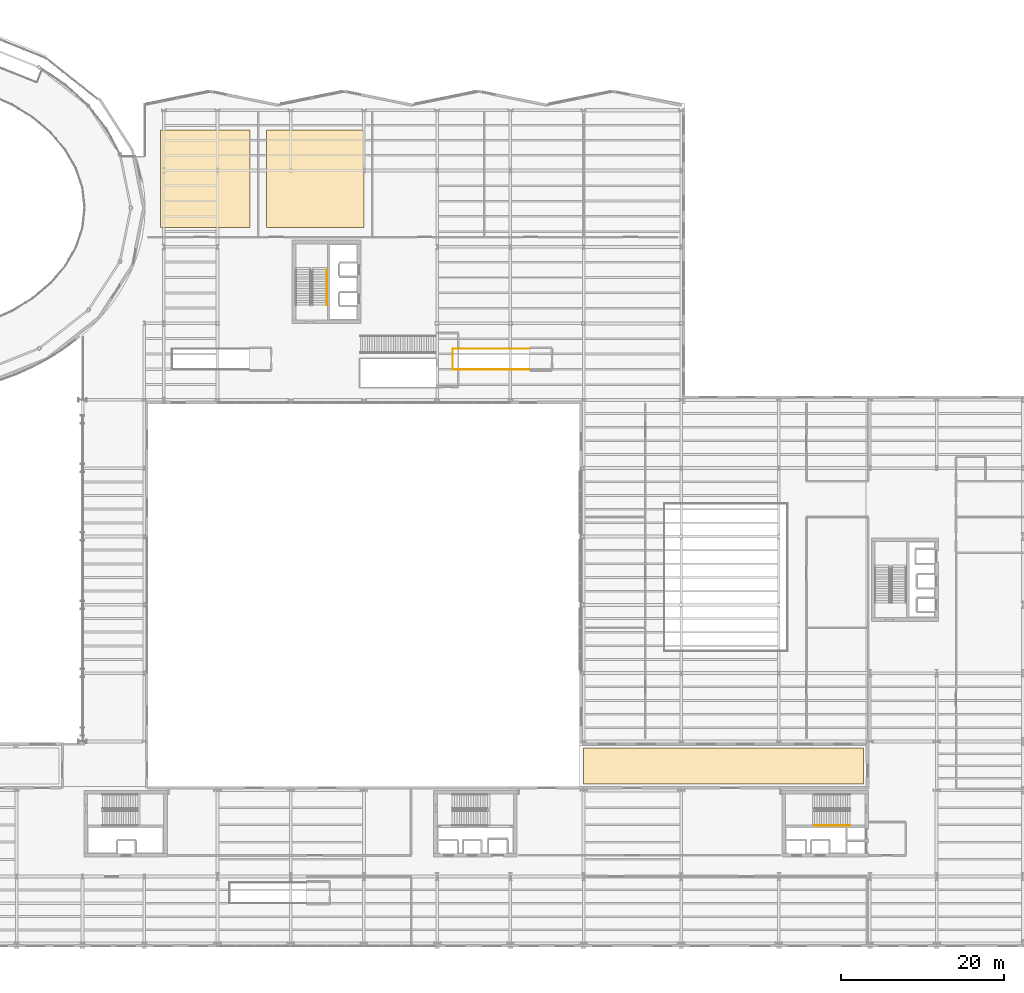
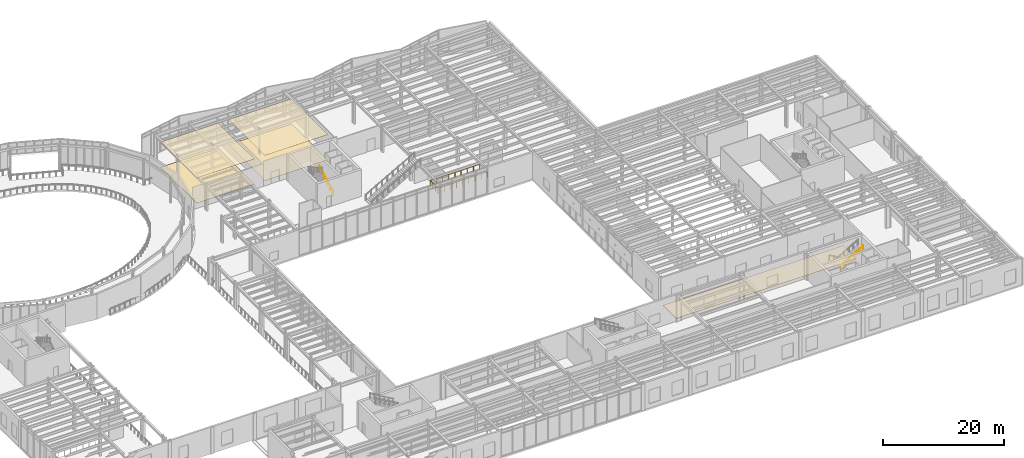
# One storey, part 96 of 98: 5 coverings, 3 railings.
"""IFC4 building model written with IfcOpenShell, lengths in metres."""

import ifcopenshell
import ifcopenshell.guid

model = None  # the IFC model being written
_history = None  # IfcOwnerHistory: only IFC2X3 demands one
_inside = {}  # id of a spatial element -> (the spatial element, [elements in it])
_under = {}  # id of a project, library or spatial element -> (it, [spatial elements below it])
_declared = {}  # id of a project -> (the project, [libraries it declares])
_typed = {}  # id of a type object -> (the type object, [elements of that type])
_made_of = {}  # id of a material, layer set ... -> (it, [elements and type objects made of it])


def new_model(schema):
    """Start an empty IFC model of exactly this schema.

    Asked for "IFC4X3", IfcOpenShell would pick the latest addendum, in which some entities
    have other attributes; the version numbers below select the first issue.
    IFC2X3 requires an IfcOwnerHistory on every rooted entity: one is made here for all.
    """
    global model, _history
    if schema == "IFC4X3":
        model = ifcopenshell.file(schema_version=(4, 3, 0, 0))
    else:
        model = ifcopenshell.file(schema=schema)
    _inside.clear()
    _under.clear()
    _declared.clear()
    _typed.clear()
    _made_of.clear()
    _history = None
    if model.schema == "IFC2X3":
        org = make("IfcOrganization", Name="unknown")
        user = make(
            "IfcPersonAndOrganization",
            ThePerson=make("IfcPerson", FamilyName="unknown"),
            TheOrganization=org,
        )
        app = make(
            "IfcApplication",
            ApplicationDeveloper=org,
            Version="unknown",
            ApplicationFullName="unknown",
            ApplicationIdentifier="unknown",
        )
        _history = make(
            "IfcOwnerHistory",
            OwningUser=user,
            OwningApplication=app,
            ChangeAction="ADDED",
            CreationDate=0,
        )
    return model


def make(cls, **values):
    """One entity of the class cls with the attributes given. An attribute that is None is left unset."""
    return model.create_entity(
        cls, **{name: value for name, value in values.items() if value is not None}
    )


def rooted(cls, **values):
    """An entity with a GlobalId (a new one), such as an element, a storey or a relation."""
    return make(cls, GlobalId=ifcopenshell.guid.new(), OwnerHistory=_history, **values)


def si_unit(unit_type, name, prefix=None):
    """IfcSIUnit, for example si_unit("LENGTHUNIT", "METRE", prefix="MILLI")."""
    return make("IfcSIUnit", UnitType=unit_type, Prefix=prefix, Name=name)


def assignment(units):
    """IfcUnitAssignment: the units of a project."""
    return None if units is None else make("IfcUnitAssignment", Units=units)


def point(xyz):
    """IfcCartesianPoint."""
    return None if xyz is None else make("IfcCartesianPoint", Coordinates=xyz)


def direction(xyz):
    """IfcDirection."""
    return None if xyz is None else make("IfcDirection", DirectionRatios=xyz)


def frame(location, z_axis=None, x_axis=None):
    """IfcAxis2Placement3D, a coordinate frame: its origin and axes. An axis left out is left unset."""
    return make(
        "IfcAxis2Placement3D",
        Location=point(location),
        Axis=direction(z_axis),
        RefDirection=direction(x_axis),
    )


def frame_2d(location, x_axis=None):
    """IfcAxis2Placement2D, a coordinate frame in the plane: its origin and x axis."""
    return make(
        "IfcAxis2Placement2D", Location=point(location), RefDirection=direction(x_axis)
    )


def origin():
    """The frame at (0, 0, 0) with its axes left unset."""
    return frame((0.0, 0.0, 0.0))


def origin_2d():
    """The frame at (0, 0) in the plane with its x axis left unset."""
    return frame_2d((0.0, 0.0))


def place(relative_to, where):
    """IfcLocalPlacement: puts the frame where relative to a parent placement (None: the world)."""
    return make(
        "IfcLocalPlacement", PlacementRelTo=relative_to, RelativePlacement=where
    )


def context(
    kind, dimensions, precision=None, world=None, true_north=None, identifier=None
):
    """IfcGeometricRepresentationContext, for example the 3D "Model" context."""
    return make(
        "IfcGeometricRepresentationContext",
        ContextIdentifier=identifier,
        ContextType=kind,
        CoordinateSpaceDimension=dimensions,
        Precision=precision,
        WorldCoordinateSystem=world,
        TrueNorth=true_north,
    )


def subcontext(parent, identifier, kind, view, scale=None):
    """IfcGeometricRepresentationSubContext, for example "Body" below "Model"."""
    return make(
        "IfcGeometricRepresentationSubContext",
        ContextIdentifier=identifier,
        ContextType=kind,
        ParentContext=parent,
        TargetScale=scale,
        TargetView=view,
    )


def project(units=None, contexts=None):
    """IfcProject with its units and contexts."""
    return rooted(
        "IfcProject",
        Name="project",
        RepresentationContexts=contexts,
        UnitsInContext=assignment(units),
    )


def spatial(cls, under=None, at=None, **own):
    """A site, building, storey or space (cls), placed at a placement, below another one or the project."""
    s = rooted(cls, ObjectPlacement=at, **own)
    if under is not None:
        _under.setdefault(under.id(), (under, []))[1].append(s)
    return s


def polyline(points):
    """IfcPolyline through the points."""
    return make("IfcPolyline", Points=[point(p) for p in points])


def profile(cls, at=None, kind="AREA", **sizes):
    """A parametric profile (cls). Its sizes go by their IFC names, for example OverallWidth=200.0."""
    return make(cls, ProfileType=kind, Position=at, **sizes)


def circle(**sizes):
    """IfcCircleProfileDef."""
    return profile("IfcCircleProfileDef", **sizes)


def outline(outer, holes=None, kind="AREA"):
    """IfcArbitraryClosedProfileDef: a profile drawn as a closed curve; with holes, ...WithVoids."""
    if holes is None:
        return make("IfcArbitraryClosedProfileDef", ProfileType=kind, OuterCurve=outer)
    return make(
        "IfcArbitraryProfileDefWithVoids",
        ProfileType=kind,
        OuterCurve=outer,
        InnerCurves=holes,
    )


def extrude(swept, where, along, depth):
    """IfcExtrudedAreaSolid: the profile swept, set in the frame where, extruded along a direction by depth."""
    return make(
        "IfcExtrudedAreaSolid",
        SweptArea=swept,
        Position=where,
        ExtrudedDirection=direction(along),
        Depth=depth,
    )


def shape(context_of_items, identifier, shape_type, items):
    """IfcShapeRepresentation: the items that make up one representation, for example the "Body"."""
    return make(
        "IfcShapeRepresentation",
        ContextOfItems=context_of_items,
        RepresentationIdentifier=identifier,
        RepresentationType=shape_type,
        Items=items,
    )


def material(Name=None, Category=None):
    """IfcMaterial."""
    return make("IfcMaterial", Name=Name, Category=Category)


def layer(
    of_material, thickness, ventilated=None, Name=None, Category=None, Priority=None
):
    """IfcMaterialLayer: one layer of a wall or slab, of a material (None: an air gap)."""
    return make(
        "IfcMaterialLayer",
        Material=of_material,
        LayerThickness=thickness,
        IsVentilated=ventilated,
        Name=Name,
        Category=Category,
        Priority=Priority,
    )


def layer_set(layers, Name=None):
    """IfcMaterialLayerSet."""
    return make("IfcMaterialLayerSet", MaterialLayers=layers, LayerSetName=Name)


def made_of(thing, what):
    """Note that an element or type object is made of a material, layer set ...; save() writes the relation."""
    if what is not None:
        _made_of.setdefault(what.id(), (what, []))[1].append(thing)
    return thing


def type_object(cls, material=None, **own):
    """A type object (cls), such as IfcWallType, which elements share."""
    return made_of(rooted(cls, **own), material)


def element(
    cls,
    number,
    at=None,
    inside=None,
    cuts=None,
    type_object=None,
    material=None,
    context=None,
    identifier="Body",
    shape_type=None,
    held_by="IfcProductDefinitionShape",
    body=None,
    shapes=None,
    **own,
):
    """One element of the class cls, such as IfcWall. Its Tag is "e" and its number.

    at: its placement. inside: the storey or other place that contains it. cuts: it is an
    opening in that element (IfcRelVoidsElement). A single representation is given by context,
    identifier, shape_type and body (its items); several are given by shapes. held_by: the class
    of the entity that holds the representations. save() writes the other relations.
    """
    e = rooted(cls, Tag="e%d" % number, ObjectPlacement=at, **own)
    if body is not None:
        shapes = [shape(context, identifier, shape_type, body)]
    if shapes is not None:
        e.Representation = make(held_by, Representations=shapes)
    if inside is not None:
        _inside.setdefault(inside.id(), (inside, []))[1].append(e)
    if cuts is not None:
        rooted(
            "IfcRelVoidsElement", RelatingBuildingElement=cuts, RelatedOpeningElement=e
        )
    if type_object is not None:
        _typed.setdefault(type_object.id(), (type_object, []))[1].append(e)
    return made_of(e, material)


def aggregate(whole, parts):
    """IfcRelAggregates: a whole, such as a stair, and the parts it consists of."""
    return rooted("IfcRelAggregates", RelatingObject=whole, RelatedObjects=parts)


def save(model, path):
    """Write the relations noted so far, then the file.

    IfcRelAggregates (storeys below a building ...), IfcRelContainedInSpatialStructure (elements
    in a storey), IfcRelDefinesByType, IfcRelAssociatesMaterial and IfcRelDeclares: one each for
    every whole, place, type object, material and project.
    """
    for whole, parts in _under.values():
        aggregate(whole, parts)
    for where, things in _inside.values():
        rooted(
            "IfcRelContainedInSpatialStructure",
            RelatedElements=things,
            RelatingStructure=where,
        )
    for kind, things in _typed.values():
        rooted("IfcRelDefinesByType", RelatedObjects=things, RelatingType=kind)
    for what, things in _made_of.values():
        rooted("IfcRelAssociatesMaterial", RelatedObjects=things, RelatingMaterial=what)
    for by, libraries in _declared.values():
        rooted("IfcRelDeclares", RelatingContext=by, RelatedDefinitions=libraries)
    model.write(path)


model = new_model("IFC4")

# Units and contexts
model_context = context("Model", 3, precision=1e-05, world=origin(), true_north=direction((0.0, 1.0)))
body_context = subcontext(model_context, "Body", "Model", "MODEL_VIEW")
ifc_project = project(units=[si_unit("LENGTHUNIT", "METRE"), si_unit("AREAUNIT", "SQUARE_METRE"), si_unit("VOLUMEUNIT", "CUBIC_METRE"), si_unit("PLANEANGLEUNIT", "RADIAN"), si_unit("MASSUNIT", "GRAM", prefix="KILO")], contexts=[model_context])

# Site, building, storey
site_placement = place(None, origin())
site = spatial("IfcSite", under=ifc_project, at=site_placement, CompositionType="ELEMENT")
building_placement = place(site_placement, origin())
building = spatial("IfcBuilding", under=site, at=building_placement, Name="Sollismere Congress Hotel", CompositionType="ELEMENT")
storey_placement = place(building_placement, frame((0.0, 0.0, 5.39990234375)))
storey = spatial("IfcBuildingStorey", under=building, at=storey_placement, Name="L01", CompositionType="ELEMENT", Elevation=5.39990234375)

# Coverings
ifc_material_1 = material(Name="Perforated Acoustic Gypsum Ceiling")
ifc_layer_1 = layer(ifc_material_1, 0.02490234375, Name="Perforated Acoustic Gypsum Ceiling")
ifc_layer_set_1 = layer_set([ifc_layer_1], Name="Perforated Acoustic Gypsum Ceiling")
covering_type_1 = type_object("IfcCoveringType", Name="COV-CEIL", PredefinedType="CEILING", material=ifc_layer_set_1)
covering_1_placement = place(storey_placement, frame((0.0, 0.0, 5.09521484375)))
element("IfcCovering", 1, at=covering_1_placement, inside=storey, type_object=covering_type_1, Name="COV-CLG-06", PredefinedType="CEILING", context=body_context, shape_type="SweptSolid", body=[
    extrude(outline(polyline([(60.0, 88.0), (71.0, 88.0), (71.0, 100.0), (60.0, 100.0), (60.0, 88.0)])), origin(), (0.0, 0.0, 1.0), 0.02490234375),
])
covering_2_placement = place(storey_placement, frame((0.0, 0.0, 5.09521484375)))
element("IfcCovering", 2, at=covering_2_placement, inside=storey, type_object=covering_type_1, Name="COV-CLG-07", PredefinedType="CEILING", context=body_context, shape_type="SweptSolid", body=[
    extrude(outline(polyline([(73.0, 88.0), (85.0, 88.0), (85.0, 100.0), (73.0, 100.0), (73.0, 88.0)])), origin(), (0.0, 0.0, 1.0), 0.02490234375),
])
ifc_material_2 = material(Name="Honed Anatolian Travertine Stone Tile", Category="masonry")
ifc_layer_2 = layer(ifc_material_2, 0.030029296875, Name="Honed Anatolian Travertine Stone Tile")
ifc_layer_set_2 = layer_set([ifc_layer_2], Name="Honed Anatolian Travertine Stone Tile")
covering_type_2 = type_object("IfcCoveringType", Name="COV-FLOR", PredefinedType="FLOORING", material=ifc_layer_set_2)
covering_3_placement = place(storey_placement, origin())
element("IfcCovering", 3, at=covering_3_placement, inside=storey, type_object=covering_type_2, Name="COV-FL-06", PredefinedType="FLOORING", context=body_context, shape_type="SweptSolid", body=[
    extrude(outline(polyline([(60.0, 88.0), (71.0, 88.0), (71.0, 100.0), (60.0, 100.0), (60.0, 88.0)])), origin(), (0.0, 0.0, 1.0), 0.030029296875),
])
covering_4_placement = place(storey_placement, origin())
element("IfcCovering", 4, at=covering_4_placement, inside=storey, type_object=covering_type_2, Name="COV-FL-07", PredefinedType="FLOORING", context=body_context, shape_type="SweptSolid", body=[
    extrude(outline(polyline([(73.0, 88.0), (85.0, 88.0), (85.0, 100.0), (73.0, 100.0), (73.0, 88.0)])), origin(), (0.0, 0.0, 1.0), 0.030029296875),
])
ifc_material_3 = material(Name="Standing-Seam Titanium-Zinc Roof Assembly")
ifc_layer_3 = layer(ifc_material_3, 0.054931640625, Name="Standing-Seam Titanium-Zinc Roof Assembly")
ifc_layer_set_3 = layer_set([ifc_layer_3], Name="Standing-Seam Titanium-Zinc Roof Assembly")
covering_type_3 = type_object("IfcCoveringType", Name="CV-RFZNC", PredefinedType="ROOFING", material=ifc_layer_set_3)
covering_5_placement = place(storey_placement, origin())
element("IfcCovering", 5, at=covering_5_placement, inside=storey, type_object=covering_type_3, Name="COV-CV-RF-L1E", PredefinedType="ROOFING", context=body_context, shape_type="SweptSolid", body=[
    extrude(outline(polyline([(112.0, 19.60009765625), (146.39990234375, 19.60009765625), (146.39990234375, 24.0), (112.0, 24.0), (112.0, 19.60009765625)])), origin(), (0.0, 0.0, 1.0), 0.05517578125),
])

# Railings
ifc_material_4 = material(Name="Steel ASTM A500 Grade C", Category="steel")
railing_type_1 = type_object("IfcRailingType", Name="RL-GRD112", PredefinedType="GUARDRAIL", material=ifc_material_4)
railing_1_placement = place(storey_placement, frame((105.35009765625, 70.52001953125, 0.0)))
element("IfcRailing", 6, at=railing_1_placement, inside=storey, type_object=railing_type_1, Name="RLG-GDA-L01-002", PredefinedType="GUARDRAIL", context=body_context, shape_type="SweptSolid", body=[
    extrude(circle(Radius=0.02392578125, at=origin_2d()), frame((0.0, 0.0, 1.09619140625), z_axis=(-1.0, 0.0, 0.0), x_axis=(0.0, -1.0, 0.0)), (0.0, 0.0, 1.0), 9.43017578125),
    extrude(circle(Radius=0.02392578125, at=origin_2d()), frame((-9.43017578125, 0.0, 1.09619140625), z_axis=(0.0, 1.0, 0.0), x_axis=(-1.0, 0.0, 0.0)), (0.0, 0.0, 1.0), 2.56005859375),
    extrude(circle(Radius=0.02392578125, at=origin_2d()), frame((-9.43017578125, 2.56005859375, 1.09619140625), z_axis=(1.0, 0.0, 0.0), x_axis=(0.0, 1.0, 0.0)), (0.0, 0.0, 1.0), 9.43017578125),
    extrude(circle(Radius=0.02099609375, at=origin_2d()), origin(), (0.0, 0.0, 1.0), 1.072021484375),
    extrude(circle(Radius=0.02099609375, at=origin_2d()), frame((-1.1787109375, 0.0, 0.0)), (0.0, 0.0, 1.0), 1.072021484375),
    extrude(circle(Radius=0.02099609375, at=origin_2d()), frame((-2.357421875, 0.0, 0.0)), (0.0, 0.0, 1.0), 1.072021484375),
    extrude(circle(Radius=0.02099609375, at=origin_2d()), frame((-3.536376953125, 0.0, 0.0)), (0.0, 0.0, 1.0), 1.072021484375),
    extrude(circle(Radius=0.02099609375, at=origin_2d()), frame((-4.715087890625, 0.0, 0.0)), (0.0, 0.0, 1.0), 1.072021484375),
    extrude(circle(Radius=0.02099609375, at=origin_2d()), frame((-5.893798828125, 0.0, 0.0)), (0.0, 0.0, 1.0), 1.072021484375),
    extrude(circle(Radius=0.02099609375, at=origin_2d()), frame((-7.07275390625, 0.0, 0.0)), (0.0, 0.0, 1.0), 1.072021484375),
    extrude(circle(Radius=0.02099609375, at=origin_2d()), frame((-8.25146484375, 0.0, 0.0)), (0.0, 0.0, 1.0), 1.072021484375),
    extrude(circle(Radius=0.02099609375, at=origin_2d()), frame((-9.43017578125, 0.0, 0.0)), (0.0, 0.0, 1.0), 1.072021484375),
    extrude(circle(Radius=0.02099609375, at=origin_2d()), frame((-9.43017578125, 0.853271484375, 0.0)), (0.0, 0.0, 1.0), 1.072021484375),
    extrude(circle(Radius=0.02099609375, at=origin_2d()), frame((-9.43017578125, 1.706787109375, 0.0)), (0.0, 0.0, 1.0), 1.072021484375),
    extrude(circle(Radius=0.02099609375, at=origin_2d()), frame((-9.43017578125, 2.56005859375, 0.0)), (0.0, 0.0, 1.0), 1.072021484375),
    extrude(circle(Radius=0.02099609375, at=origin_2d()), frame((-8.25146484375, 2.56005859375, 0.0)), (0.0, 0.0, 1.0), 1.072021484375),
    extrude(circle(Radius=0.02099609375, at=origin_2d()), frame((-7.07275390625, 2.56005859375, 0.0)), (0.0, 0.0, 1.0), 1.072021484375),
    extrude(circle(Radius=0.02099609375, at=origin_2d()), frame((-5.893798828125, 2.56005859375, 0.0)), (0.0, 0.0, 1.0), 1.072021484375),
    extrude(circle(Radius=0.02099609375, at=origin_2d()), frame((-4.715087890625, 2.56005859375, 0.0)), (0.0, 0.0, 1.0), 1.072021484375),
    extrude(circle(Radius=0.02099609375, at=origin_2d()), frame((-3.536376953125, 2.56005859375, 0.0)), (0.0, 0.0, 1.0), 1.072021484375),
    extrude(circle(Radius=0.02099609375, at=origin_2d()), frame((-2.357421875, 2.56005859375, 0.0)), (0.0, 0.0, 1.0), 1.072021484375),
    extrude(circle(Radius=0.02099609375, at=origin_2d()), frame((-1.1787109375, 2.56005859375, 0.0)), (0.0, 0.0, 1.0), 1.072021484375),
    extrude(circle(Radius=0.02099609375, at=origin_2d()), frame((0.0, 2.56005859375, 0.0)), (0.0, 0.0, 1.0), 1.072021484375),
])
ifc_material_5 = material(Name="Brushed Architectural Bronze")
railing_type_2 = type_object("IfcRailingType", Name="RL-HND90", PredefinedType="HANDRAIL", material=ifc_material_5)
railing_2_placement = place(storey_placement, frame((140.39990234375, 14.5, 3.013671875)))
element("IfcRailing", 7, at=railing_2_placement, inside=storey, type_object=railing_type_2, Name="RLG-RH-ST-01-L01-2", PredefinedType="HANDRAIL", context=body_context, shape_type="SweptSolid", body=[
    extrude(circle(Radius=0.02392578125, at=origin_2d()), frame((0.0, 0.0, 0.8759765625), z_axis=(0.864323800911, 0.0, 0.50293574856), x_axis=(0.0, 1.0, 0.0)), (0.0, 0.0, 1.0), 5.032958984375),
    extrude(circle(Radius=0.02099609375, at=origin_2d()), origin(), (0.0, 0.0, 1.0), 0.851806640625),
    extrude(circle(Radius=0.02099609375, at=origin_2d()), frame((0.8701171875, 0.0, 0.50634765625)), (0.0, 0.0, 1.0), 0.851806640625),
    extrude(circle(Radius=0.02099609375, at=origin_2d()), frame((1.739990234375, 0.0, 1.012451171875)), (0.0, 0.0, 1.0), 0.851806640625),
    extrude(circle(Radius=0.02099609375, at=origin_2d()), frame((2.610107421875, 0.0, 1.518798828125)), (0.0, 0.0, 1.0), 0.851806640625),
    extrude(circle(Radius=0.02099609375, at=origin_2d()), frame((3.47998046875, 0.0, 2.02490234375)), (0.0, 0.0, 1.0), 0.851806640625),
    extrude(circle(Radius=0.02099609375, at=origin_2d()), frame((4.35009765625, 0.0, 2.53125)), (0.0, 0.0, 1.0), 0.851806640625),
])
railing_3_placement = place(storey_placement, frame((80.449951171875, 78.449951171875, 0.3134765625)))
element("IfcRailing", 8, at=railing_3_placement, inside=storey, type_object=railing_type_2, Name="RLG-RH-ST-04-L01-1", PredefinedType="HANDRAIL", context=body_context, shape_type="SweptSolid", body=[
    extrude(circle(Radius=0.02392578125, at=origin_2d()), frame((0.0, 0.0, 0.8759765625), z_axis=(0.0, 0.864323800911, 0.50293574856), x_axis=(-1.0, 0.0, 0.0)), (0.0, 0.0, 1.0), 5.032958984375),
    extrude(circle(Radius=0.02099609375, at=origin_2d()), origin(), (0.0, 0.0, 1.0), 0.851806640625),
    extrude(circle(Radius=0.02099609375, at=origin_2d()), frame((0.0, 0.8701171875, 0.50634765625)), (0.0, 0.0, 1.0), 0.851806640625),
    extrude(circle(Radius=0.02099609375, at=origin_2d()), frame((0.0, 1.739990234375, 1.012451171875)), (0.0, 0.0, 1.0), 0.851806640625),
    extrude(circle(Radius=0.02099609375, at=origin_2d()), frame((0.0, 2.610107421875, 1.518798828125)), (0.0, 0.0, 1.0), 0.851806640625),
    extrude(circle(Radius=0.02099609375, at=origin_2d()), frame((0.0, 3.47998046875, 2.02490234375)), (0.0, 0.0, 1.0), 0.851806640625),
    extrude(circle(Radius=0.02099609375, at=origin_2d()), frame((0.0, 4.35009765625, 2.53125)), (0.0, 0.0, 1.0), 0.851806640625),
])

save(model, "model.ifc")
